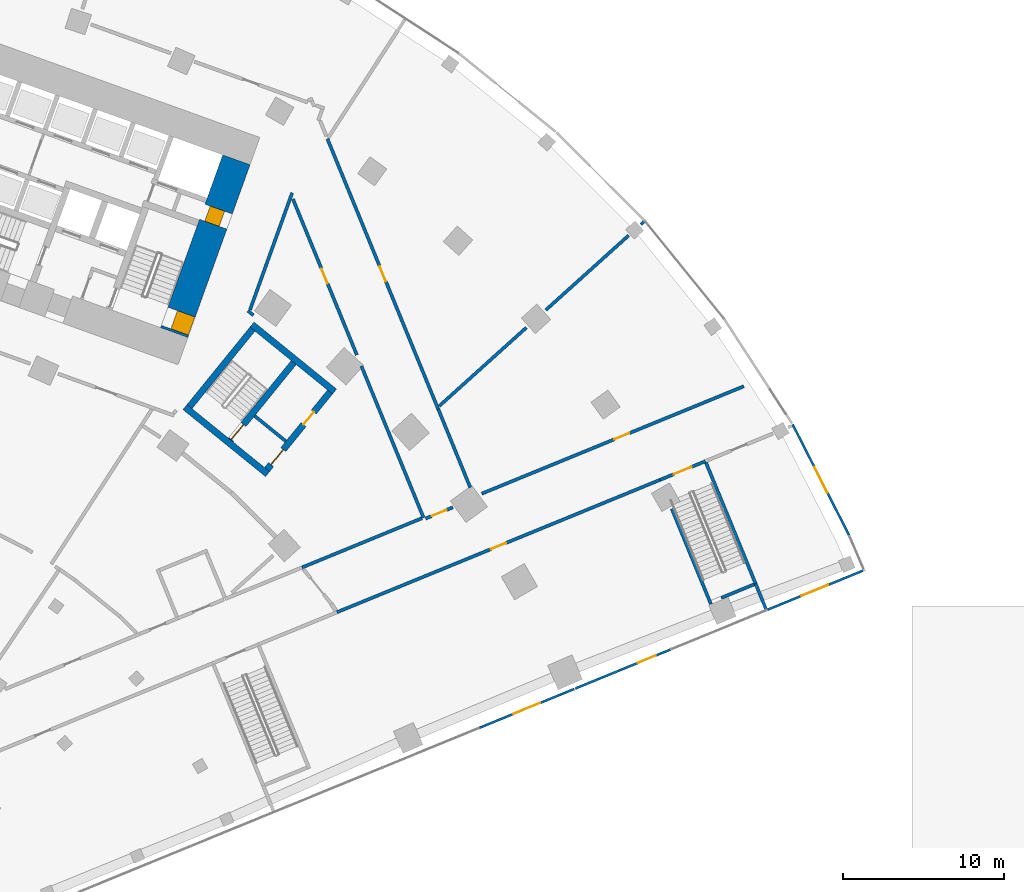
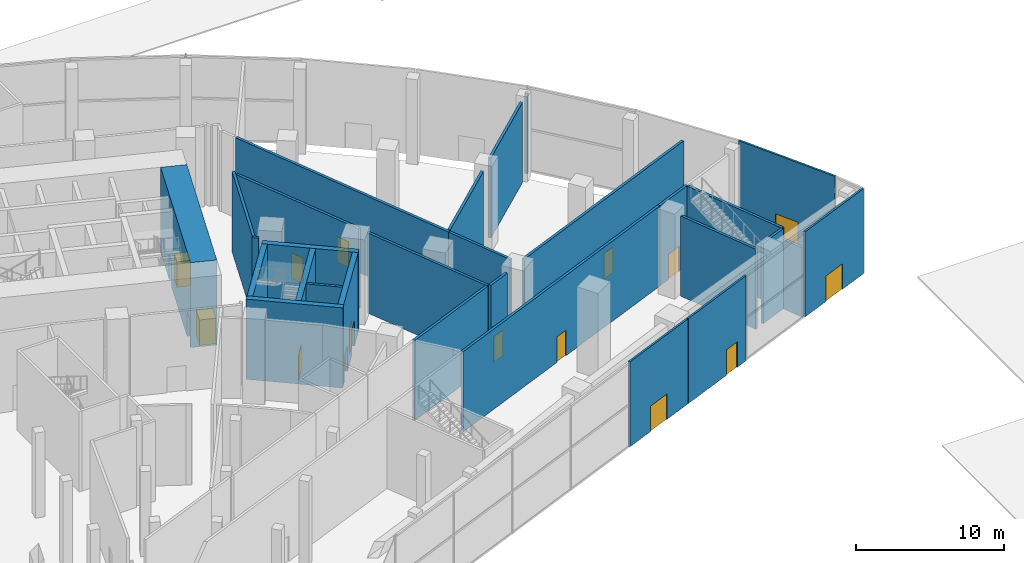
# One storey, part 37 of 60: 29 walls, 15 doors, 15 openings.
"""IFC4 building model written with IfcOpenShell, lengths in metres."""

from ifc_helpers import new_model, si_unit, direction, frame, frame_2d, origin, place, context, subcontext, project, spatial, rectangle, extrude, material, layer, layer_set, type_object, element, fill, save


model = new_model("IFC4")

# Units and contexts
model_context = context("Model", 3, precision=1e-05, world=origin(), true_north=direction((0.0, 1.0)))
body_context = subcontext(model_context, "Body", "Model", "MODEL_VIEW")
ifc_project = project(units=[si_unit("LENGTHUNIT", "METRE"), si_unit("AREAUNIT", "SQUARE_METRE"), si_unit("VOLUMEUNIT", "CUBIC_METRE"), si_unit("PLANEANGLEUNIT", "RADIAN"), si_unit("MASSUNIT", "GRAM", prefix="KILO")], contexts=[model_context])

# Site, building, storey
site_placement = place(None, origin())
site = spatial("IfcSite", under=ifc_project, at=site_placement, CompositionType="ELEMENT")
building_placement = place(site_placement, origin())
building = spatial("IfcBuilding", under=site, at=building_placement, Name="Stone Belt Terrace Tower", CompositionType="ELEMENT")
storey_placement = place(building_placement, origin())
storey = spatial("IfcBuildingStorey", under=building, at=storey_placement, Name="L00", CompositionType="ELEMENT", Elevation=0.0)

# Wall, opening, door
ifc_material_1 = material(Name="Terracotta coloured glazed ceramic", Category="masonry")
ifc_layer_1 = layer(ifc_material_1, 0.14990234375)
ifc_layer_set_1 = layer_set([ifc_layer_1], Name="Ceramic rain-screen wall 150")
wall_type_1 = type_object("IfcWallType", Name="Ceramic rain-screen wall 150", PredefinedType="SOLIDWALL", material=ifc_layer_set_1)
wall_1_placement = place(storey_placement, frame((45.138671875, 18.41943359375, 0.0), z_axis=(0.0, 0.0, 1.0), x_axis=(0.92528907992, 0.379262598448, 0.0)))
wall_1 = element("IfcWall", 1, at=wall_1_placement, inside=storey, type_object=wall_type_1, Name="Door wall L00", PredefinedType="SOLIDWALL", context=body_context, shape_type="SweptSolid", body=[
    extrude(rectangle(XDim=6.384521484375, YDim=0.14990234375, at=frame_2d((3.1923828125, 0.0))), origin(), (0.0, 0.0, 1.0), 7.0),
])
opening_1_placement = place(wall_1_placement, frame((2.292236328125, 0.0, 0.0)))
opening_1 = element("IfcOpeningElement", 2, at=opening_1_placement, cuts=wall_1, Name="Opening L00-E05", PredefinedType="OPENING", context=body_context, shape_type="SweptSolid", body=[
    extrude(rectangle(XDim=1.800048828125, YDim=2.10009765625, at=frame_2d((0.89990234375, 1.050048828125))), frame((0.0, 0.0849609375, 0.0), z_axis=(0.0, -1.0, 0.0), x_axis=(1.0, 0.0, 0.0)), (0.0, 0.0, 1.0), 0.169921875),
])
ifc_material_2 = material(Name="Anodised aluminium glazed door", Category="aluminium")
door_type_1 = type_object("IfcDoorType", Name="Exit door pair 1800 x 2100", OperationType="DOUBLE_DOOR_DOUBLE_SWING", PredefinedType="DOOR", material=ifc_material_2)
door_1_placement = place(opening_1_placement, origin())
door_1 = element("IfcDoor", 3, at=door_1_placement, inside=storey, type_object=door_type_1, Name="Exit door L00", OperationType="DOUBLE_DOOR_DOUBLE_SWING", OverallHeight=2.10009765625, OverallWidth=1.800048828125, PredefinedType="DOOR", context=body_context, shape_type="SweptSolid", body=[
    extrude(rectangle(XDim=1.800048828125, YDim=2.10009765625, at=frame_2d((0.89990234375, 1.050048828125))), frame((0.0, 0.02490234375, 0.0), z_axis=(0.0, -1.0, 0.0), x_axis=(1.0, 0.0, 0.0)), (0.0, 0.0, 1.0), 0.050048828125),
])
fill(opening_1, door_1)

wall_2_placement = place(storey_placement, frame((51.101806640625, 20.863525390625, 0.0), z_axis=(0.0, 0.0, 1.0), x_axis=(0.92528907992, 0.379262598448, 0.0)))
wall_2 = element("IfcWall", 4, at=wall_2_placement, inside=storey, type_object=wall_type_1, Name="Door wall L00", PredefinedType="SOLIDWALL", context=body_context, shape_type="SweptSolid", body=[
    extrude(rectangle(XDim=6.384521484375, YDim=0.14990234375, at=frame_2d((3.1923828125, 0.0))), origin(), (0.0, 0.0, 1.0), 7.0),
])
opening_2_placement = place(wall_2_placement, frame((4.199951171875, 0.0, 0.0)))
opening_2 = element("IfcOpeningElement", 5, at=opening_2_placement, cuts=wall_2, Name="Opening L00-E06", PredefinedType="OPENING", context=body_context, shape_type="SweptSolid", body=[
    extrude(rectangle(XDim=1.199951171875, YDim=2.10009765625, at=frame_2d((0.60009765625, 1.050048828125))), frame((0.0, 0.0849609375, 0.0), z_axis=(0.0, -1.0, 0.0), x_axis=(1.0, 0.0, 0.0)), (0.0, 0.0, 1.0), 0.169921875),
])
door_type_2 = type_object("IfcDoorType", Name="Service door 1200 x 2100", OperationType="NOTDEFINED", PredefinedType="DOOR", material=ifc_material_2)
door_2_placement = place(opening_2_placement, origin())
door_2 = element("IfcDoor", 6, at=door_2_placement, inside=storey, type_object=door_type_2, Name="Service door L00", OperationType="SINGLE_SWING_RIGHT", OverallHeight=2.10009765625, OverallWidth=1.199951171875, PredefinedType="DOOR", context=body_context, shape_type="SweptSolid", body=[
    extrude(rectangle(XDim=1.199951171875, YDim=2.10009765625, at=frame_2d((0.60009765625, 1.050048828125))), frame((0.0, 0.02490234375, 0.0), z_axis=(0.0, -1.0, 0.0), x_axis=(1.0, 0.0, 0.0)), (0.0, 0.0, 1.0), 0.050048828125),
])
fill(opening_2, door_2)

wall_3_placement = place(storey_placement, frame((63.02783203125, 25.75146484375, 0.0), z_axis=(0.0, 0.0, 1.0), x_axis=(0.925291567108, 0.379256530385, 0.0)))
wall_3 = element("IfcWall", 7, at=wall_3_placement, inside=storey, type_object=wall_type_1, Name="Door wall L00", PredefinedType="SOLIDWALL", context=body_context, shape_type="SweptSolid", body=[
    extrude(rectangle(XDim=6.416015625, YDim=0.14990234375, at=frame_2d((3.2080078125, 0.0))), origin(), (0.0, 0.0, 1.0), 7.0),
])
opening_3_placement = place(wall_3_placement, frame((2.292236328125, 0.0, 0.0)))
opening_3 = element("IfcOpeningElement", 8, at=opening_3_placement, cuts=wall_3, Name="Opening L00-E07", PredefinedType="OPENING", context=body_context, shape_type="SweptSolid", body=[
    extrude(rectangle(XDim=1.800048828125, YDim=2.10009765625, at=frame_2d((0.89990234375, 1.050048828125))), frame((0.0, 0.0849609375, 0.0), z_axis=(0.0, -1.0, 0.0), x_axis=(1.0, 0.0, 0.0)), (0.0, 0.0, 1.0), 0.169921875),
])
door_3_placement = place(opening_3_placement, origin())
door_3 = element("IfcDoor", 9, at=door_3_placement, inside=storey, type_object=door_type_1, Name="Exit door L00", OperationType="DOUBLE_DOOR_DOUBLE_SWING", OverallHeight=2.10009765625, OverallWidth=1.800048828125, PredefinedType="DOOR", context=body_context, shape_type="SweptSolid", body=[
    extrude(rectangle(XDim=1.800048828125, YDim=2.10009765625, at=frame_2d((0.89990234375, 1.050048828125))), frame((0.0, 0.02490234375, 0.0), z_axis=(0.0, -1.0, 0.0), x_axis=(1.0, 0.0, 0.0)), (0.0, 0.0, 1.0), 0.050048828125),
])
fill(opening_3, door_3)

wall_4_placement = place(storey_placement, frame((68.1123046875, 30.362548828125, 0.0), z_axis=(0.0, 0.0, 1.0), x_axis=(-0.453977770034, 0.891013010183, 0.0)))
wall_4 = element("IfcWall", 10, at=wall_4_placement, inside=storey, type_object=wall_type_1, Name="Door wall L00", PredefinedType="SOLIDWALL", context=body_context, shape_type="SweptSolid", body=[
    extrude(rectangle(XDim=7.738037109375, YDim=0.14990234375, at=frame_2d((3.869140625, 0.0))), origin(), (0.0, 0.0, 1.0), 7.0),
])
opening_4_placement = place(wall_4_placement, frame((2.968994140625, 0.0, 0.0)))
opening_4 = element("IfcOpeningElement", 11, at=opening_4_placement, cuts=wall_4, Name="Opening L00-E08", PredefinedType="OPENING", context=body_context, shape_type="SweptSolid", body=[
    extrude(rectangle(XDim=1.800048828125, YDim=2.10009765625, at=frame_2d((0.89990234375, 1.050048828125))), frame((0.0, 0.0849609375, 0.0), z_axis=(0.0, -1.0, 0.0), x_axis=(1.0, 0.0, 0.0)), (0.0, 0.0, 1.0), 0.169921875),
])
door_4_placement = place(opening_4_placement, origin())
door_4 = element("IfcDoor", 12, at=door_4_placement, inside=storey, type_object=door_type_1, Name="Exit door L00", OperationType="DOUBLE_DOOR_DOUBLE_SWING", OverallHeight=2.10009765625, OverallWidth=1.800048828125, PredefinedType="DOOR", context=body_context, shape_type="SweptSolid", body=[
    extrude(rectangle(XDim=1.800048828125, YDim=2.10009765625, at=frame_2d((0.89990234375, 1.050048828125))), frame((0.0, 0.02490234375, 0.0), z_axis=(0.0, -1.0, 0.0), x_axis=(1.0, 0.0, 0.0)), (0.0, 0.0, 1.0), 0.050048828125),
])
fill(opening_4, door_4)

# Wall, openings, doors
ifc_material_3 = material(Name="Concrete B80", Category="concrete")
ifc_layer_2 = layer(ifc_material_3, 1.800048828125)
ifc_layer_set_2 = layer_set([ifc_layer_2], Name="Core wall 1800 B80")
wall_type_2 = type_object("IfcWallType", Name="Core wall 1800 B80", PredefinedType="SHEAR", material=ifc_layer_set_2)
wall_5_placement = place(storey_placement, frame((26.197509765625, 42.96728515625, 0.0), z_axis=(0.0, 0.0, 1.0), x_axis=(0.338625431531, 0.940921259788, 0.0)))
wall_5 = element("IfcWall", 13, at=wall_5_placement, inside=storey, type_object=wall_type_2, Name="Core B wall end_b L00", PredefinedType="SHEAR", context=body_context, shape_type="SweptSolid", body=[
    extrude(rectangle(XDim=11.400146484375, YDim=1.800048828125, at=frame_2d((5.7001953125, 0.0))), origin(), (0.0, 0.0, 1.0), 7.0),
])
opening_5_placement = place(wall_5_placement, frame((7.150146484375, 0.0, 0.0)))
opening_5 = element("IfcOpeningElement", 14, at=opening_5_placement, cuts=wall_5, Name="Opening L00-C13", PredefinedType="OPENING", context=body_context, shape_type="SweptSolid", body=[
    extrude(rectangle(XDim=1.0, YDim=2.10009765625, at=frame_2d((0.5, 1.050048828125))), frame((0.0, 0.909912109375, 0.0), z_axis=(0.0, -1.0, 0.0), x_axis=(1.0, 0.0, 0.0)), (0.0, 0.0, 1.0), 1.820068359375),
])
opening_6_placement = place(wall_5_placement, frame((0.14990234375, 0.0, 0.0)))
opening_6 = element("IfcOpeningElement", 15, at=opening_6_placement, cuts=wall_5, Name="Opening L00-C21", PredefinedType="OPENING", context=body_context, shape_type="SweptSolid", body=[
    extrude(rectangle(XDim=1.199951171875, YDim=2.10009765625, at=frame_2d((0.60009765625, 1.050048828125))), frame((0.0, 0.909912109375, 0.0), z_axis=(0.0, -1.0, 0.0), x_axis=(1.0, 0.0, 0.0)), (0.0, 0.0, 1.0), 1.820068359375),
])
ifc_material_4 = material(Name="Timber door leaf", Category="wood")
door_type_3 = type_object("IfcDoorType", Name="Core room door 1000", OperationType="SINGLE_SWING_LEFT", PredefinedType="DOOR", material=ifc_material_4)
door_5_placement = place(opening_5_placement, origin())
door_5 = element("IfcDoor", 16, at=door_5_placement, inside=storey, type_object=door_type_3, Name="Door to Telecommunications riser room core B", OperationType="SINGLE_SWING_LEFT", OverallHeight=2.10009765625, OverallWidth=1.0, PredefinedType="DOOR", context=body_context, shape_type="SweptSolid", body=[
    extrude(rectangle(XDim=1.0, YDim=2.10009765625, at=frame_2d((0.5, 1.050048828125))), frame((0.0, 0.55517578125, 0.0), z_axis=(0.0, -1.0, 0.0), x_axis=(1.0, 0.0, 0.0)), (0.0, 0.0, 1.0), 0.949951171875),
])
fill(opening_5, door_5)
ifc_material_5 = material(Name="Steel door leaf", Category="steel")
door_type_4 = type_object("IfcDoorType", Name="Stair door 1200", OperationType="SINGLE_SWING_LEFT", PredefinedType="DOOR", material=ifc_material_5)
door_6_placement = place(opening_6_placement, origin())
door_6 = element("IfcDoor", 17, at=door_6_placement, inside=storey, type_object=door_type_4, Name="Stair 1 exit door core B", OperationType="SINGLE_SWING_RIGHT", OverallHeight=2.10009765625, OverallWidth=1.199951171875, PredefinedType="DOOR", context=body_context, shape_type="SweptSolid", body=[
    extrude(rectangle(XDim=1.199951171875, YDim=2.10009765625, at=frame_2d((0.60009765625, 1.050048828125))), frame((0.0, 0.27001953125, 0.0), z_axis=(0.0, -1.0, 0.0), x_axis=(1.0, 0.0, 0.0)), (0.0, 0.0, 1.0), 1.14990234375),
])
fill(opening_6, door_6)

# Walls
ifc_material_6 = material(Name="Blockwork wall, plastered both faces", Category="masonry")
ifc_layer_3 = layer(ifc_material_6, 0.199951171875)
ifc_layer_set_3 = layer_set([ifc_layer_3], Name="Podium demising wall 200")
wall_type_3 = type_object("IfcWallType", Name="Podium demising wall 200", PredefinedType="PARTITIONING", material=ifc_layer_set_3)
wall_6_placement = place(storey_placement, frame((30.7783203125, 44.318603515625, 0.0), z_axis=(0.0, 0.0, 1.0), x_axis=(0.765860267195, -0.643007038167, 0.0)))
element("IfcWall", 18, at=wall_6_placement, inside=storey, type_object=wall_type_3, Name="Podium demising wall 200", PredefinedType="PARTITIONING", context=body_context, shape_type="SweptSolid", body=[
    extrude(rectangle(XDim=0.43310546875, YDim=0.199951171875, at=frame_2d((0.216552734375, 0.0))), origin(), (0.0, 0.0, 1.0), 6.60009765625),
])
wall_7_placement = place(storey_placement, frame((30.904296875, 44.372802734375, 0.0), z_axis=(0.0, 0.0, 1.0), x_axis=(0.338706037287, 0.940892246915, 0.0)))
element("IfcWall", 19, at=wall_7_placement, inside=storey, type_object=wall_type_3, Name="Podium demising wall 200", PredefinedType="PARTITIONING", context=body_context, shape_type="SweptSolid", body=[
    extrude(rectangle(XDim=7.72412109375, YDim=0.199951171875, at=frame_2d((3.862060546875, 0.0))), origin(), (0.0, 0.0, 1.0), 6.60009765625),
])

# Wall, opening, door
wall_8_placement = place(storey_placement, frame((33.568359375, 51.26025390625, 0.0), z_axis=(0.0, 0.0, 1.0), x_axis=(0.379265353707, -0.925287950574, 0.0)))
wall_8 = element("IfcWall", 20, at=wall_8_placement, inside=storey, type_object=wall_type_3, Name="Podium demising wall 200", PredefinedType="PARTITIONING", context=body_context, shape_type="SweptSolid", body=[
    extrude(rectangle(XDim=10.459228515625, YDim=0.199951171875, at=frame_2d((5.2294921875, 0.0))), origin(), (0.0, 0.0, 1.0), 6.60009765625),
])
opening_7_placement = place(wall_8_placement, frame((4.674560546875, 0.0, 0.0)))
opening_7 = element("IfcOpeningElement", 21, at=opening_7_placement, cuts=wall_8, Name="Opening L00-P35", PredefinedType="OPENING", context=body_context, shape_type="SweptSolid", body=[
    extrude(rectangle(XDim=1.0, YDim=2.10009765625, at=frame_2d((0.5, 1.050048828125))), frame((0.0, 0.10986328125, 0.0), z_axis=(0.0, -1.0, 0.0), x_axis=(1.0, 0.0, 0.0)), (0.0, 0.0, 1.0), 0.219970703125),
])
ifc_material_7 = material(Name="Steel framed door leaf", Category="steel")
door_type_5 = type_object("IfcDoorType", Name="Podium door single 1000", OperationType="SINGLE_SWING_LEFT", PredefinedType="DOOR", material=ifc_material_7)
door_7_placement = place(opening_7_placement, origin())
door_7 = element("IfcDoor", 22, at=door_7_placement, inside=storey, type_object=door_type_5, Name="Podium door single 1000", OperationType="SINGLE_SWING_LEFT", OverallHeight=2.10009765625, OverallWidth=1.0, PredefinedType="DOOR", context=body_context, shape_type="SweptSolid", body=[
    extrude(rectangle(XDim=1.0, YDim=2.10009765625, at=frame_2d((0.5, 1.050048828125))), frame((0.0, 0.02490234375, 0.0), z_axis=(0.0, -1.0, 0.0), x_axis=(1.0, 0.0, 0.0)), (0.0, 0.0, 1.0), 0.050048828125),
])
fill(opening_7, door_7)

# Wall
wall_9_placement = place(storey_placement, frame((37.822265625, 40.882080078125, 0.0), z_axis=(0.0, 0.0, 1.0), x_axis=(0.379243967023, -0.925296716452, 0.0)))
element("IfcWall", 23, at=wall_9_placement, inside=storey, type_object=wall_type_3, Name="Podium demising wall 200", PredefinedType="PARTITIONING", context=body_context, shape_type="SweptSolid", body=[
    extrude(rectangle(XDim=10.171875, YDim=0.199951171875, at=frame_2d((5.0859375, 0.0))), origin(), (0.0, 0.0, 1.0), 6.60009765625),
])

# Wall, opening, door
wall_10_placement = place(storey_placement, frame((35.7099609375, 55.0, 0.0), z_axis=(0.0, 0.0, 1.0), x_axis=(0.379219073515, -0.925306918964, 0.0)))
wall_10 = element("IfcWall", 24, at=wall_10_placement, inside=storey, type_object=wall_type_3, Name="Podium demising wall 200", PredefinedType="PARTITIONING", context=body_context, shape_type="SweptSolid", body=[
    extrude(rectangle(XDim=18.1435546875, YDim=0.199951171875, at=frame_2d((9.07177734375, 0.0))), origin(), (0.0, 0.0, 1.0), 6.60009765625),
])
opening_8_placement = place(wall_10_placement, frame((8.57177734375, 0.0, 0.0)))
opening_8 = element("IfcOpeningElement", 25, at=opening_8_placement, cuts=wall_10, Name="Opening L00-P34", PredefinedType="OPENING", context=body_context, shape_type="SweptSolid", body=[
    extrude(rectangle(XDim=1.0, YDim=2.10009765625, at=frame_2d((0.5, 1.050048828125))), frame((0.0, 0.10986328125, 0.0), z_axis=(0.0, -1.0, 0.0), x_axis=(1.0, 0.0, 0.0)), (0.0, 0.0, 1.0), 0.219970703125),
])
door_8_placement = place(opening_8_placement, origin())
door_8 = element("IfcDoor", 26, at=door_8_placement, inside=storey, type_object=door_type_5, Name="Podium door single 1000", OperationType="SINGLE_SWING_RIGHT", OverallHeight=2.10009765625, OverallWidth=1.0, PredefinedType="DOOR", context=body_context, shape_type="SweptSolid", body=[
    extrude(rectangle(XDim=1.0, YDim=2.10009765625, at=frame_2d((0.5, 1.050048828125))), frame((0.0, 0.02490234375, 0.0), z_axis=(0.0, -1.0, 0.0), x_axis=(1.0, 0.0, 0.0)), (0.0, 0.0, 1.0), 0.050048828125),
])
fill(opening_8, door_8)

# Walls
wall_11_placement = place(storey_placement, frame((42.65576171875, 38.4052734375, 0.0), z_axis=(0.0, 0.0, 1.0), x_axis=(0.74297896111, 0.6693147715, 0.0)))
element("IfcWall", 27, at=wall_11_placement, inside=storey, type_object=wall_type_3, Name="Podium demising wall 200", PredefinedType="PARTITIONING", context=body_context, shape_type="SweptSolid", body=[
    extrude(rectangle(XDim=7.281494140625, YDim=0.199951171875, at=frame_2d((3.640625, 0.0))), origin(), (0.0, 0.0, 1.0), 6.60009765625),
])
wall_12_placement = place(storey_placement, frame((49.269287109375, 44.363037109375, 0.0), z_axis=(0.0, 0.0, 1.0), x_axis=(0.742967717322, 0.669327252559, 0.0)))
element("IfcWall", 28, at=wall_12_placement, inside=storey, type_object=wall_type_3, Name="Podium demising wall 200", PredefinedType="PARTITIONING", context=body_context, shape_type="SweptSolid", body=[
    extrude(rectangle(XDim=6.9189453125, YDim=0.199951171875, at=frame_2d((3.45947265625, 0.0))), origin(), (0.0, 0.0, 1.0), 6.60009765625),
])
wall_13_placement = place(storey_placement, frame((55.167724609375, 49.6767578125, 0.0), z_axis=(0.0, 0.0, 1.0), x_axis=(0.742923696938, 0.669376112905, 0.0)))
element("IfcWall", 29, at=wall_13_placement, inside=storey, type_object=wall_type_3, Name="Podium demising wall 200", PredefinedType="PARTITIONING", context=body_context, shape_type="SweptSolid", body=[
    extrude(rectangle(XDim=0.26220703125, YDim=0.199951171875, at=frame_2d((0.131103515625, 0.0))), origin(), (0.0, 0.0, 1.0), 6.60009765625),
])
wall_14_placement = place(storey_placement, frame((42.59375, 38.212646484375, 0.0), z_axis=(0.0, 0.0, 1.0), x_axis=(0.377985529047, -0.925811503402, 0.0)))
element("IfcWall", 30, at=wall_14_placement, inside=storey, type_object=wall_type_3, Name="Podium demising wall 200", PredefinedType="PARTITIONING", context=body_context, shape_type="SweptSolid", body=[
    extrude(rectangle(XDim=5.25830078125, YDim=0.199951171875, at=frame_2d((2.629150390625, 0.0))), origin(), (0.0, 0.0, 1.0), 6.60009765625),
])
wall_15_placement = place(storey_placement, frame((62.300048828125, 27.369873046875, 0.0), z_axis=(0.0, 0.0, 1.0), x_axis=(0.377466142262, -0.926023386015, 0.0)))
element("IfcWall", 31, at=wall_15_placement, inside=storey, type_object=wall_type_3, Name="Podium demising wall 200", PredefinedType="PARTITIONING", context=body_context, shape_type="SweptSolid", body=[
    extrude(rectangle(XDim=1.6953125, YDim=0.199951171875, at=frame_2d((0.84765625, 0.0))), origin(), (0.0, 0.0, 1.0), 5.699951171875),
])
ifc_material_8 = material(Name="Fire-rated blockwork wall, plastered both faces", Category="masonry")
ifc_layer_4 = layer(ifc_material_8, 0.199951171875)
ifc_layer_set_4 = layer_set([ifc_layer_4], Name="Podium exit passage wall 200")
wall_type_4 = type_object("IfcWallType", Name="Podium exit passage wall 200", PredefinedType="PARTITIONING", material=ifc_layer_set_4)
wall_16_placement = place(storey_placement, frame((34.1298828125, 28.3798828125, 0.0), z_axis=(0.0, 0.0, 1.0), x_axis=(0.925057272149, 0.379827649394, 0.0)))
element("IfcWall", 32, at=wall_16_placement, inside=storey, type_object=wall_type_4, Name="Podium exit passage wall 200", PredefinedType="PARTITIONING", context=body_context, shape_type="SweptSolid", body=[
    extrude(rectangle(XDim=8.0576171875, YDim=0.199951171875, at=frame_2d((4.02880859375, 0.0))), origin(), (0.0, 0.0, 1.0), 6.60009765625),
])

# Wall, opening, door
wall_17_placement = place(storey_placement, frame((36.300048828125, 25.60009765625, 0.0), z_axis=(0.0, 0.0, 1.0), x_axis=(0.925325608597, 0.379173466997, 0.0)))
wall_17 = element("IfcWall", 33, at=wall_17_placement, inside=storey, type_object=wall_type_4, Name="Podium exit passage wall 200", PredefinedType="PARTITIONING", context=body_context, shape_type="SweptSolid", body=[
    extrude(rectangle(XDim=21.6787109375, YDim=0.199951171875, at=frame_2d((10.83935546875, 0.0))), origin(), (0.0, 0.0, 1.0), 6.60009765625),
])
opening_9_placement = place(wall_17_placement, frame((10.33935546875, 0.0, 0.0)))
opening_9 = element("IfcOpeningElement", 34, at=opening_9_placement, cuts=wall_17, Name="Opening L00-P17", PredefinedType="OPENING", context=body_context, shape_type="SweptSolid", body=[
    extrude(rectangle(XDim=1.0, YDim=2.10009765625, at=frame_2d((0.5, 1.050048828125))), frame((0.0, 0.10986328125, 0.0), z_axis=(0.0, -1.0, 0.0), x_axis=(1.0, 0.0, 0.0)), (0.0, 0.0, 1.0), 0.219970703125),
])
door_9_placement = place(opening_9_placement, origin())
door_9 = element("IfcDoor", 35, at=door_9_placement, inside=storey, type_object=door_type_5, Name="Podium door single 1000", OperationType="SINGLE_SWING_LEFT", OverallHeight=2.10009765625, OverallWidth=1.0, PredefinedType="DOOR", context=body_context, shape_type="SweptSolid", body=[
    extrude(rectangle(XDim=1.0, YDim=2.10009765625, at=frame_2d((0.5, 1.050048828125))), frame((0.0, 0.02490234375, 0.0), z_axis=(0.0, -1.0, 0.0), x_axis=(1.0, 0.0, 0.0)), (0.0, 0.0, 1.0), 0.050048828125),
])
fill(opening_9, door_9)

wall_18_placement = place(storey_placement, frame((41.802490234375, 31.41796875, 0.0), z_axis=(0.0, 0.0, 1.0), x_axis=(0.925423851285, 0.378933629376, 0.0)))
wall_18 = element("IfcWall", 36, at=wall_18_placement, inside=storey, type_object=wall_type_4, Name="Podium exit passage wall 200", PredefinedType="PARTITIONING", context=body_context, shape_type="SweptSolid", body=[
    extrude(rectangle(XDim=1.8330078125, YDim=0.199951171875, at=frame_2d((0.91650390625, 0.0))), origin(), (0.0, 0.0, 1.0), 6.60009765625),
])
opening_10_placement = place(wall_18_placement, frame((0.41650390625, 0.0, 0.0)))
opening_10 = element("IfcOpeningElement", 37, at=opening_10_placement, cuts=wall_18, Name="Opening L00-P43", PredefinedType="OPENING", context=body_context, shape_type="SweptSolid", body=[
    extrude(rectangle(XDim=1.0, YDim=2.10009765625, at=frame_2d((0.5, 1.050048828125))), frame((0.0, 0.10986328125, 0.0), z_axis=(0.0, -1.0, 0.0), x_axis=(1.0, 0.0, 0.0)), (0.0, 0.0, 1.0), 0.219970703125),
])
door_10_placement = place(opening_10_placement, origin())
door_10 = element("IfcDoor", 38, at=door_10_placement, inside=storey, type_object=door_type_5, Name="Podium door single 1000", OperationType="SINGLE_SWING_LEFT", OverallHeight=2.10009765625, OverallWidth=1.0, PredefinedType="DOOR", context=body_context, shape_type="SweptSolid", body=[
    extrude(rectangle(XDim=1.0, YDim=2.10009765625, at=frame_2d((0.5, 1.050048828125))), frame((0.0, 0.02490234375, 0.0), z_axis=(0.0, -1.0, 0.0), x_axis=(1.0, 0.0, 0.0)), (0.0, 0.0, 1.0), 0.050048828125),
])
fill(opening_10, door_10)

wall_19_placement = place(storey_placement, frame((45.29345703125, 32.964111328125, 0.0), z_axis=(0.0, 0.0, 1.0), x_axis=(0.925302423654, 0.379230042033, 0.0)))
wall_19 = element("IfcWall", 39, at=wall_19_placement, inside=storey, type_object=wall_type_4, Name="Podium exit passage wall 200", PredefinedType="PARTITIONING", context=body_context, shape_type="SweptSolid", body=[
    extrude(rectangle(XDim=17.58740234375, YDim=0.199951171875, at=frame_2d((8.793701171875, 0.0))), origin(), (0.0, 0.0, 1.0), 6.60009765625),
])
opening_11_placement = place(wall_19_placement, frame((8.89501953125, 0.0, 0.0)))
opening_11 = element("IfcOpeningElement", 40, at=opening_11_placement, cuts=wall_19, Name="Opening L00-P37", PredefinedType="OPENING", context=body_context, shape_type="SweptSolid", body=[
    extrude(rectangle(XDim=1.0, YDim=2.10009765625, at=frame_2d((0.5, 1.050048828125))), frame((0.0, 0.10986328125, 0.0), z_axis=(0.0, -1.0, 0.0), x_axis=(1.0, 0.0, 0.0)), (0.0, 0.0, 1.0), 0.219970703125),
])
door_11_placement = place(opening_11_placement, origin())
door_11 = element("IfcDoor", 41, at=door_11_placement, inside=storey, type_object=door_type_5, Name="Podium door single 1000", OperationType="SINGLE_SWING_LEFT", OverallHeight=2.10009765625, OverallWidth=1.0, PredefinedType="DOOR", context=body_context, shape_type="SweptSolid", body=[
    extrude(rectangle(XDim=1.0, YDim=2.10009765625, at=frame_2d((0.5, 1.050048828125))), frame((0.0, 0.02490234375, 0.0), z_axis=(0.0, -1.0, 0.0), x_axis=(1.0, 0.0, 0.0)), (0.0, 0.0, 1.0), 0.050048828125),
])
fill(opening_11, door_11)

ifc_material_9 = material(Name="Concrete B30", Category="concrete")
ifc_layer_5 = layer(ifc_material_9, 0.199951171875)
ifc_layer_set_5 = layer_set([ifc_layer_5], Name="Podium stair and shaft wall 200")
wall_type_5 = type_object("IfcWallType", Name="Podium stair and shaft wall 200", PredefinedType="SOLIDWALL", material=ifc_layer_set_5)
wall_20_placement = place(storey_placement, frame((56.360107421875, 33.820068359375, 0.0), z_axis=(0.0, 0.0, 1.0), x_axis=(0.924815674246, 0.380415521068, 0.0)))
wall_20 = element("IfcWall", 42, at=wall_20_placement, inside=storey, type_object=wall_type_5, Name="Podium stair and shaft wall 200", PredefinedType="SOLIDWALL", context=body_context, shape_type="SweptSolid", body=[
    extrude(rectangle(XDim=3.049072265625, YDim=0.199951171875, at=frame_2d((1.5244140625, 0.0))), origin(), (0.0, 0.0, 1.0), 6.60009765625),
])
opening_12_placement = place(wall_20_placement, frame((0.924560546875, 0.0, 0.0)))
opening_12 = element("IfcOpeningElement", 43, at=opening_12_placement, cuts=wall_20, Name="Opening L00-P04", PredefinedType="OPENING", context=body_context, shape_type="SweptSolid", body=[
    extrude(rectangle(XDim=1.199951171875, YDim=2.10009765625, at=frame_2d((0.60009765625, 1.050048828125))), frame((0.0, 0.10986328125, 0.0), z_axis=(0.0, -1.0, 0.0), x_axis=(1.0, 0.0, 0.0)), (0.0, 0.0, 1.0), 0.219970703125),
])
door_type_6 = type_object("IfcDoorType", Name="Podium door fire stair 1200", OperationType="SINGLE_SWING_LEFT", PredefinedType="DOOR", material=ifc_material_7)
door_12_placement = place(opening_12_placement, origin())
door_12 = element("IfcDoor", 44, at=door_12_placement, inside=storey, type_object=door_type_6, Name="Podium door fire stair 1200", OperationType="SINGLE_SWING_RIGHT", OverallHeight=2.10009765625, OverallWidth=1.199951171875, PredefinedType="DOOR", context=body_context, shape_type="SweptSolid", body=[
    extrude(rectangle(XDim=1.199951171875, YDim=2.10009765625, at=frame_2d((0.60009765625, 1.050048828125))), frame((0.0, 0.02490234375, 0.0), z_axis=(0.0, -1.0, 0.0), x_axis=(1.0, 0.0, 0.0)), (0.0, 0.0, 1.0), 0.050048828125),
])
fill(opening_12, door_12)

# Walls
wall_21_placement = place(storey_placement, frame((57.094482421875, 32.02880859375, 0.0), z_axis=(0.0, 0.0, 1.0), x_axis=(0.379309770486, -0.92526974338, 0.0)))
element("IfcWall", 45, at=wall_21_placement, inside=storey, type_object=wall_type_5, Name="Podium stair and shaft wall 200", PredefinedType="SOLIDWALL", context=body_context, shape_type="SweptSolid", body=[
    extrude(rectangle(XDim=6.388916015625, YDim=0.199951171875, at=frame_2d((3.1943359375, 0.0))), origin(), (0.0, 0.0, 1.0), 6.60009765625),
])
wall_22_placement = place(storey_placement, frame((59.218017578125, 34.887451171875, 0.0), z_axis=(0.0, 0.0, 1.0), x_axis=(0.379345306329, -0.925255174839, 0.0)))
element("IfcWall", 46, at=wall_22_placement, inside=storey, type_object=wall_type_5, Name="Podium stair and shaft wall 200", PredefinedType="SOLIDWALL", context=body_context, shape_type="SweptSolid", body=[
    extrude(rectangle(XDim=8.12451171875, YDim=0.199951171875, at=frame_2d((4.062255859375, 0.0))), origin(), (0.0, 0.0, 1.0), 6.60009765625),
])
wall_23_placement = place(storey_placement, frame((60.163818359375, 26.4912109375, 0.0), z_axis=(0.0, 0.0, 1.0), x_axis=(0.924790168115, 0.380477522278, 0.0)))
element("IfcWall", 47, at=wall_23_placement, inside=storey, type_object=wall_type_5, Name="Podium stair and shaft wall 200", PredefinedType="SOLIDWALL", context=body_context, shape_type="SweptSolid", body=[
    extrude(rectangle(XDim=2.2099609375, YDim=0.199951171875, at=frame_2d((1.10498046875, 0.0))), origin(), (0.0, 0.0, 1.0), 6.60009765625),
])
ifc_material_10 = material(Name="Concrete masonry block", Category="masonry")
ifc_layer_6 = layer(ifc_material_10, 0.199951171875)
ifc_layer_set_6 = layer_set([ifc_layer_6], Name="Rated lobby wall 200")
wall_type_6 = type_object("IfcWallType", Name="Rated lobby wall 200", PredefinedType="PARTITIONING", material=ifc_layer_set_6)
wall_24_placement = place(storey_placement, frame((31.190673828125, 37.79296875, 0.0), z_axis=(0.0, 0.0, 1.0), x_axis=(0.776370830301, -0.630276394813, 0.0)))
element("IfcWall", 48, at=wall_24_placement, inside=storey, type_object=wall_type_6, Name="Exit stair ST3B wall", PredefinedType="PARTITIONING", context=body_context, shape_type="SweptSolid", body=[
    extrude(rectangle(XDim=2.5, YDim=0.199951171875, at=frame_2d((1.25, 0.0))), origin(), (0.0, 0.0, 1.0), 6.60009765625),
])
ifc_layer_7 = layer(ifc_material_3, 0.39990234375)
ifc_layer_set_7 = layer_set([ifc_layer_7], Name="Stair enclosure wall 400")
wall_type_7 = type_object("IfcWallType", Name="Stair enclosure wall 400", PredefinedType="SHEAR", material=ifc_layer_set_7)
wall_25_placement = place(storey_placement, frame((26.868408203125, 38.3388671875, 0.0), z_axis=(0.0, 0.0, 1.0), x_axis=(0.776428452498, -0.630205409491, 0.0)))
element("IfcWall", 49, at=wall_25_placement, inside=storey, type_object=wall_type_7, Name="Exit stair ST3B wall", PredefinedType="SHEAR", context=body_context, shape_type="SweptSolid", body=[
    extrude(rectangle(XDim=6.60009765625, YDim=0.39990234375, at=frame_2d((3.300048828125, 0.0))), origin(), (0.0, 0.0, 1.0), 6.60009765625),
])
wall_26_placement = place(storey_placement, frame((31.02783203125, 43.46337890625, 0.0), z_axis=(0.0, 0.0, 1.0), x_axis=(0.776413760801, -0.630223509589, 0.0)))
element("IfcWall", 50, at=wall_26_placement, inside=storey, type_object=wall_type_7, Name="Exit stair ST3B wall", PredefinedType="SHEAR", context=body_context, shape_type="SweptSolid", body=[
    extrude(rectangle(XDim=6.599853515625, YDim=0.39990234375, at=frame_2d((3.2998046875, 0.0))), origin(), (0.0, 0.0, 1.0), 6.60009765625),
])
wall_27_placement = place(storey_placement, frame((27.149658203125, 38.3681640625, 0.0), z_axis=(0.0, 0.0, 1.0), x_axis=(0.630211551729, 0.776423466973, 0.0)))
element("IfcWall", 51, at=wall_27_placement, inside=storey, type_object=wall_type_7, Name="Exit stair ST3B wall", PredefinedType="SHEAR", context=body_context, shape_type="SweptSolid", body=[
    extrude(rectangle(XDim=6.199951171875, YDim=0.39990234375, at=frame_2d((3.10009765625, 0.0))), origin(), (0.0, 0.0, 1.0), 6.60009765625),
])

# Wall, openings, doors
wall_28_placement = place(storey_placement, frame((31.963623046875, 34.460693359375, 0.0), z_axis=(0.0, 0.0, 1.0), x_axis=(0.630192283849, 0.776439106033, 0.0)))
wall_28 = element("IfcWall", 52, at=wall_28_placement, inside=storey, type_object=wall_type_7, Name="Exit stair ST3B wall", PredefinedType="SHEAR", context=body_context, shape_type="SweptSolid", body=[
    extrude(rectangle(XDim=6.199951171875, YDim=0.39990234375, at=frame_2d((3.10009765625, 0.0))), origin(), (0.0, 0.0, 1.0), 6.60009765625),
])
opening_13_placement = place(wall_28_placement, frame((0.39990234375, 0.0, 0.0)))
opening_13 = element("IfcOpeningElement", 53, at=opening_13_placement, cuts=wall_28, Name="Opening L00-C29", PredefinedType="OPENING", context=body_context, shape_type="SweptSolid", body=[
    extrude(rectangle(XDim=1.199951171875, YDim=2.10009765625, at=frame_2d((0.60009765625, 1.050048828125))), frame((0.0, 0.2099609375, 0.0), z_axis=(0.0, -1.0, 0.0), x_axis=(1.0, 0.0, 0.0)), (0.0, 0.0, 1.0), 0.419921875),
])
opening_14_placement = place(wall_28_placement, frame((3.60009765625, 0.0, 0.0)))
opening_14 = element("IfcOpeningElement", 54, at=opening_14_placement, cuts=wall_28, Name="Opening L00-C30", PredefinedType="OPENING", context=body_context, shape_type="SweptSolid", body=[
    extrude(rectangle(XDim=1.0, YDim=2.10009765625, at=frame_2d((0.5, 1.050048828125))), frame((0.0, 0.2099609375, 0.0), z_axis=(0.0, -1.0, 0.0), x_axis=(1.0, 0.0, 0.0)), (0.0, 0.0, 1.0), 0.419921875),
])
door_13_placement = place(opening_14_placement, origin())
door_13 = element("IfcDoor", 55, at=door_13_placement, inside=storey, type_object=door_type_3, Name="Door to stair pressurisation plant room ST3B", OperationType="SINGLE_SWING_LEFT", OverallHeight=2.10009765625, OverallWidth=1.0, PredefinedType="DOOR", context=body_context, shape_type="SweptSolid", body=[
    extrude(rectangle(XDim=1.0, YDim=2.10009765625, at=frame_2d((0.5, 1.050048828125))), frame((0.0, 0.02490234375, 0.0), z_axis=(0.0, -1.0, 0.0), x_axis=(1.0, 0.0, 0.0)), (0.0, 0.0, 1.0), 0.050048828125),
])
fill(opening_14, door_13)
door_type_7 = type_object("IfcDoorType", Name="Stair airlock door 1200", OperationType="SINGLE_SWING_LEFT", PredefinedType="DOOR", material=ifc_material_5)
door_14_placement = place(opening_13_placement, origin())
door_14 = element("IfcDoor", 56, at=door_14_placement, inside=storey, type_object=door_type_7, Name="Stair airlock door ST3B", OperationType="SINGLE_SWING_LEFT", OverallHeight=2.10009765625, OverallWidth=1.199951171875, PredefinedType="DOOR", context=body_context, shape_type="SweptSolid", body=[
    extrude(rectangle(XDim=1.199951171875, YDim=2.10009765625, at=frame_2d((0.60009765625, 1.050048828125))), frame((0.0, 0.02490234375, 0.0), z_axis=(0.0, -1.0, 0.0), x_axis=(1.0, 0.0, 0.0)), (0.0, 0.0, 1.0), 0.050048828125),
])
fill(opening_13, door_14)

# Wall, opening, door
wall_29_placement = place(storey_placement, frame((29.7119140625, 36.288330078125, 0.0), z_axis=(0.0, 0.0, 1.0), x_axis=(0.630192283849, 0.776439106033, 0.0)))
wall_29 = element("IfcWall", 57, at=wall_29_placement, inside=storey, type_object=wall_type_7, Name="Exit stair ST3B wall", PredefinedType="SHEAR", context=body_context, shape_type="SweptSolid", body=[
    extrude(rectangle(XDim=6.199951171875, YDim=0.39990234375, at=frame_2d((3.10009765625, 0.0))), origin(), (0.0, 0.0, 1.0), 6.60009765625),
])
opening_15_placement = place(wall_29_placement, frame((0.050048828125, 0.0, 0.0)))
opening_15 = element("IfcOpeningElement", 58, at=opening_15_placement, cuts=wall_29, Name="Opening L00-C28", PredefinedType="OPENING", context=body_context, shape_type="SweptSolid", body=[
    extrude(rectangle(XDim=1.199951171875, YDim=2.10009765625, at=frame_2d((0.60009765625, 1.050048828125))), frame((0.0, 0.2099609375, 0.0), z_axis=(0.0, -1.0, 0.0), x_axis=(1.0, 0.0, 0.0)), (0.0, 0.0, 1.0), 0.419921875),
])
door_15_placement = place(opening_15_placement, origin())
door_15 = element("IfcDoor", 59, at=door_15_placement, inside=storey, type_object=door_type_4, Name="Stair door ST3B", OperationType="SINGLE_SWING_RIGHT", OverallHeight=2.10009765625, OverallWidth=1.199951171875, PredefinedType="DOOR", context=body_context, shape_type="SweptSolid", body=[
    extrude(rectangle(XDim=1.199951171875, YDim=2.10009765625, at=frame_2d((0.60009765625, 1.050048828125))), frame((0.0, 0.02490234375, 0.0), z_axis=(0.0, -1.0, 0.0), x_axis=(1.0, 0.0, 0.0)), (0.0, 0.0, 1.0), 0.050048828125),
])
fill(opening_15, door_15)

save(model, "model.ifc")
